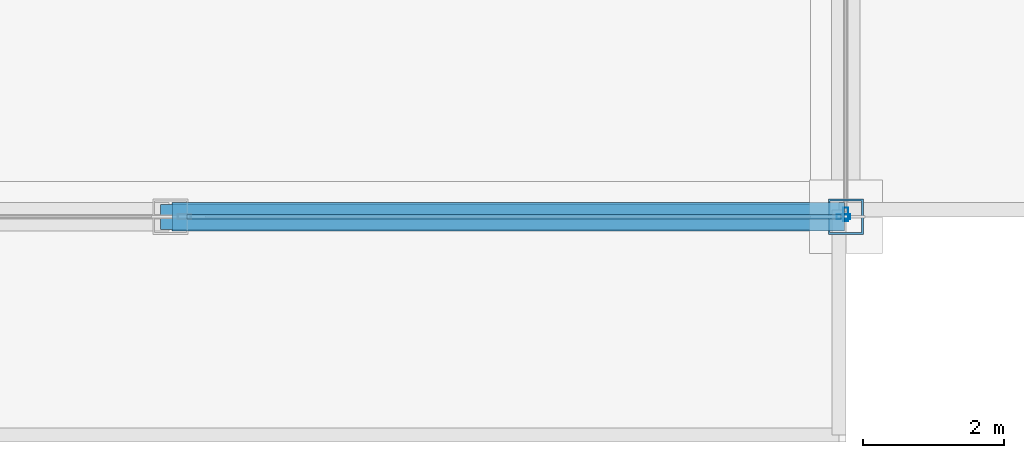
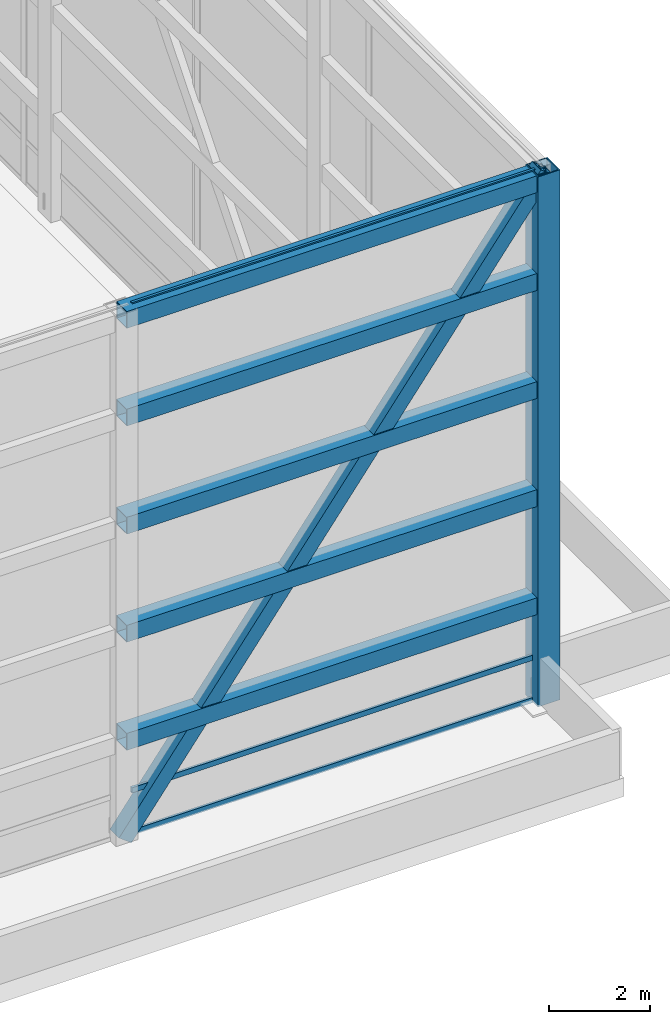
# One storey, part 13 of 23: 7 members, 5 beams, 2 elements without a shape of their own.
"""IFC4 building model written with IfcOpenShell, lengths in metres."""

from ifc_helpers import new_model, si_unit, direction, frame, origin, origin_2d, place, context, subcontext, project, spatial, hollow_rectangle, extrude, source, transform, mapped, material, layer, layer_set, material_profile, profile_set, type_object, type_shapes, element, aggregate, save


model = new_model("IFC4")

# Units and contexts
model_context = context("Model", 3, precision=1e-05, world=origin(), true_north=direction((0.0, 1.0)))
body_context = subcontext(model_context, "Body", "Model", "MODEL_VIEW")
ifc_project = project(units=[si_unit("LENGTHUNIT", "METRE"), si_unit("AREAUNIT", "SQUARE_METRE"), si_unit("VOLUMEUNIT", "CUBIC_METRE"), si_unit("PLANEANGLEUNIT", "RADIAN"), si_unit("MASSUNIT", "GRAM", prefix="KILO")], contexts=[model_context])

# Site, building, storey
site_placement = place(None, origin())
site = spatial("IfcSite", under=ifc_project, at=site_placement, CompositionType="ELEMENT")
building_placement = place(site_placement, origin())
building = spatial("IfcBuilding", under=site, at=building_placement, Name="Varnel Quay Broadcast Tower", CompositionType="ELEMENT")
storey_placement = place(building_placement, frame((0.0, 0.0, 319.800048828125)))
storey = spatial("IfcBuildingStorey", under=building, at=storey_placement, Name="Roof", CompositionType="ELEMENT", Elevation=319.800048828125)

# Member
ifc_material_1 = material(Name="Structural Steel CSA G40.21 350WT", Category="steel")
ifc_material_profile_1 = material_profile(ifc_material_1, hollow_rectangle(XDim=0.5, YDim=0.5, WallThickness=0.02490234375, at=origin_2d()), Name="BOX500X500X25")
ifc_profile_set_1 = profile_set([ifc_material_profile_1], Name="Structural Steel CSA G40.21 350WT")
member_type_1 = type_object("IfcMemberType", Name="CrownRingPost_BOX500", PredefinedType="POST", material=ifc_profile_set_1)
shared_shape_1 = source(origin(), body_context, "Body", "SweptSolid", [
    extrude(hollow_rectangle(XDim=0.5, YDim=0.5, WallThickness=0.02490234375, at=origin_2d()), origin(), (0.0, 0.0, 1.0), 12.75),
])
type_shapes(member_type_1, [shared_shape_1])
member_1_placement = place(storey_placement, frame((52.800048828125, 16.39990234375, 0.0), z_axis=(0.0, 0.0, 1.0), x_axis=(1.0, 0.0, 0.0)))
element("IfcMember", 1, at=member_1_placement, inside=storey, type_object=member_type_1, Name="CROWN FRAME Ring Post 5", PredefinedType="POST", context=body_context, shape_type="MappedRepresentation", body=[
    mapped(shared_shape_1, transform((0.0, 0.0, 0.0), x_axis=(1.0, 0.0, 0.0), y_axis=(0.0, 1.0, 0.0), z_axis=(0.0, 0.0, 1.0), scale=1.0)),
])

# Beams
ifc_material_profile_2 = material_profile(ifc_material_1, hollow_rectangle(XDim=0.406005859375, YDim=0.406005859375, WallThickness=0.01611328125, at=origin_2d()), Name="HSS406X406X16")
ifc_profile_set_2 = profile_set([ifc_material_profile_2], Name="Structural Steel CSA G40.21 350WT")
beam_type = type_object("IfcBeamType", Name="CrownRingBeam_HSS406", PredefinedType="BEAM", material=ifc_profile_set_2)
shared_shape_2 = source(origin(), body_context, "Body", "SweptSolid", [
    extrude(hollow_rectangle(XDim=0.406005859375, YDim=0.406005859375, WallThickness=0.01611328125, at=origin_2d()), origin(), (0.0, 0.0, 1.0), 9.56005859375),
])
type_shapes(beam_type, [shared_shape_2])
for number, where, z_axis, x_axis, name in (
    (2, (43.219970703125, 16.39990234375, 2.39697265625), (1.0, 0.0, 0.0), (0.0, 1.0, 0.0), "CROWN FRAME Ring Tier 1 Beam 4"),
    (3, (43.219970703125, 16.39990234375, 4.9970703125), (1.0, 0.0, 0.0), (0.0, 1.0, 0.0), "CROWN FRAME Ring Tier 2 Beam 4"),
    (4, (43.219970703125, 16.39990234375, 7.596923828125), (1.0, 0.0, 0.0), (0.0, 1.0, 0.0), "CROWN FRAME Ring Tier 3 Beam 4"),
    (5, (43.219970703125, 16.39990234375, 10.197021484375), (1.0, 0.0, 0.0), (0.0, 1.0, 0.0), "CROWN FRAME Ring Tier 4 Beam 4"),
    (6, (43.219970703125, 16.39990234375, 12.546875), (1.0, 0.0, 0.0), (0.0, 1.0, 0.0), "CROWN FRAME Ring Tier 5 Beam 4"),
):
    element("IfcBeam", number, at=place(storey_placement, frame(where, z_axis=z_axis, x_axis=x_axis)), inside=storey, type_object=beam_type, Name=name, PredefinedType="BEAM", context=body_context, shape_type="MappedRepresentation", body=[
        mapped(shared_shape_2, transform((0.0, 0.0, 0.0), x_axis=(1.0, 0.0, 0.0), y_axis=(0.0, 1.0, 0.0), z_axis=(0.0, 0.0, 1.0), scale=1.0)),
    ])

# Member
ifc_material_2 = material(Name="Structural Steel CSA G40.21 350W", Category="steel")
ifc_material_profile_3 = material_profile(ifc_material_2, hollow_rectangle(XDim=0.35595703125, YDim=0.35595703125, WallThickness=0.01611328125, at=origin_2d()), Name="HSS356X356X16")
ifc_profile_set_3 = profile_set([ifc_material_profile_3], Name="Structural Steel CSA G40.21 350W")
member_type_2 = type_object("IfcMemberType", Name="CrownRingBrace_HSS356", PredefinedType="BRACE", material=ifc_profile_set_3)
shared_shape_3 = source(origin(), body_context, "Body", "SweptSolid", [
    extrude(hollow_rectangle(XDim=0.35595703125, YDim=0.35595703125, WallThickness=0.01611328125, at=origin_2d()), origin(), (0.0, 0.0, 1.0), 15.92822265625),
])
type_shapes(member_type_2, [shared_shape_3])
member_2_placement = place(storey_placement, frame((43.199951171875, 16.39990234375, 0.02001953125), z_axis=(0.602713824571, 0.0, 0.797957420964), x_axis=(0.0, 1.0, 0.0)))
element("IfcMember", 7, at=member_2_placement, inside=storey, type_object=member_type_2, Name="CROWN FRAME Ring Brace 4", PredefinedType="BRACE", context=body_context, shape_type="MappedRepresentation", body=[
    mapped(shared_shape_3, transform((0.0, 0.0, 0.0), x_axis=(1.0, 0.0, 0.0), y_axis=(0.0, 1.0, 0.0), z_axis=(0.0, 0.0, 1.0), scale=1.0)),
])

# Curtain wall, member
ifc_material_3 = material(Name="Anodised Bronze Aluminium 6063-T6", Category="aluminium")
ifc_layer = layer(ifc_material_3, 0.18994140625, Name="Anodised Bronze Aluminium 6063-T6")
ifc_layer_set = layer_set([ifc_layer], Name="Anodised Bronze Aluminium 6063-T6")
curtain_wall_type = type_object("IfcCurtainWallType", Name="CW_CrownScreen", PredefinedType="NOTDEFINED", material=ifc_layer_set)
curtain_wall_1_placement = place(storey_placement, origin())
curtain_wall_1 = element("IfcCurtainWall", 8, at=curtain_wall_1_placement, inside=storey, type_object=curtain_wall_type, Name="Ring Crown Bronze Glazed Louvre Screen S2", PredefinedType="NOTDEFINED")
ifc_material_profile_4 = material_profile(ifc_material_3, hollow_rectangle(XDim=0.070068359375, YDim=0.18994140625, WallThickness=0.00390625, at=origin_2d()), Name="ALU70X190X4")
ifc_profile_set_4 = profile_set([ifc_material_profile_4], Name="Anodised Bronze Aluminium 6063-T6")
member_type_3 = type_object("IfcMemberType", Name="Mull_CWS-06", PredefinedType="MULLION", material=ifc_profile_set_4)
shared_shape_4 = source(origin(), body_context, "Body", "SweptSolid", [
    extrude(hollow_rectangle(XDim=0.070068359375, YDim=0.18994140625, WallThickness=0.00390625, at=origin_2d()), origin(), (0.0, 0.0, 1.0), 12.75),
])
type_shapes(member_type_3, [shared_shape_4])
member_3_placement = place(storey_placement, frame((52.764892578125, 16.39990234375, 0.0), z_axis=(0.0, 0.0, 1.0), x_axis=(0.0, 1.0, 0.0)))
member_3 = element("IfcMember", 9, at=member_3_placement, type_object=member_type_3, Name="CWS-06 mullion 3", PredefinedType="MULLION", context=body_context, shape_type="MappedRepresentation", body=[
    mapped(shared_shape_4, transform((0.0, 0.0, 0.0), x_axis=(1.0, 0.0, 0.0), y_axis=(0.0, 1.0, 0.0), z_axis=(0.0, 0.0, 1.0), scale=1.0)),
])

curtain_wall_2_placement = place(storey_placement, origin())
curtain_wall_2 = element("IfcCurtainWall", 10, at=curtain_wall_2_placement, inside=storey, type_object=curtain_wall_type, Name="Ring Crown Bronze Glazed Louvre Screen E1", PredefinedType="NOTDEFINED")
member_4_placement = place(storey_placement, frame((52.800048828125, 16.43505859375, 0.0), z_axis=(0.0, 0.0, 1.0), x_axis=(-1.0, 0.0, 0.0)))
member_4 = element("IfcMember", 11, at=member_4_placement, type_object=member_type_3, Name="CWS-06 mullion 1", PredefinedType="MULLION", context=body_context, shape_type="MappedRepresentation", body=[
    mapped(shared_shape_4, transform((0.0, 0.0, 0.0), x_axis=(1.0, 0.0, 0.0), y_axis=(0.0, 1.0, 0.0), z_axis=(0.0, 0.0, 1.0), scale=1.0)),
])
aggregate(curtain_wall_2, [member_4])

# Member
ifc_material_profile_5 = material_profile(ifc_material_3, hollow_rectangle(XDim=0.06005859375, YDim=0.125, WallThickness=0.0029296875, at=origin_2d()), Name="ALU60X125X3")
ifc_profile_set_5 = profile_set([ifc_material_profile_5], Name="Anodised Bronze Aluminium 6063-T6")
member_type_4 = type_object("IfcMemberType", Name="Tran_CWS-06", PredefinedType="USERDEFINED", material=ifc_profile_set_5)
shared_shape_5 = source(origin(), body_context, "Body", "SweptSolid", [
    extrude(hollow_rectangle(XDim=0.06005859375, YDim=0.125, WallThickness=0.0029296875, at=origin_2d()), origin(), (0.0, 0.0, 1.0), 9.294921875),
])
type_shapes(member_type_4, [shared_shape_5])
member_5_placement = place(storey_placement, frame((43.43505859375, 16.39990234375, 0.030029296875), z_axis=(1.0, 0.0, 0.0), x_axis=(0.0, 1.0, 0.0)))
member_5 = element("IfcMember", 12, at=member_5_placement, type_object=member_type_4, Name="CWS-06 transom 2.1", ObjectType="TRANSOM", PredefinedType="USERDEFINED", context=body_context, shape_type="MappedRepresentation", body=[
    mapped(shared_shape_5, transform((0.0, 0.0, 0.0), x_axis=(1.0, 0.0, 0.0), y_axis=(0.0, 1.0, 0.0), z_axis=(0.0, 0.0, 1.0), scale=1.0)),
])

member_6_placement = place(storey_placement, frame((43.43505859375, 16.39990234375, 1.050048828125), z_axis=(1.0, 0.0, 0.0), x_axis=(0.0, 1.0, 0.0)))
member_6 = element("IfcMember", 13, at=member_6_placement, type_object=member_type_4, Name="CWS-06 transom 2.2", ObjectType="TRANSOM", PredefinedType="USERDEFINED", context=body_context, shape_type="MappedRepresentation", body=[
    mapped(shared_shape_5, transform((0.0, 0.0, 0.0), x_axis=(1.0, 0.0, 0.0), y_axis=(0.0, 1.0, 0.0), z_axis=(0.0, 0.0, 1.0), scale=1.0)),
])

member_7_placement = place(storey_placement, frame((43.43505859375, 16.39990234375, 12.719970703125), z_axis=(1.0, 0.0, 0.0), x_axis=(0.0, 1.0, 0.0)))
member_7 = element("IfcMember", 14, at=member_7_placement, type_object=member_type_4, Name="CWS-06 transom 2.3", ObjectType="TRANSOM", PredefinedType="USERDEFINED", context=body_context, shape_type="MappedRepresentation", body=[
    mapped(shared_shape_5, transform((0.0, 0.0, 0.0), x_axis=(1.0, 0.0, 0.0), y_axis=(0.0, 1.0, 0.0), z_axis=(0.0, 0.0, 1.0), scale=1.0)),
])

aggregate(curtain_wall_1, [member_3, member_5, member_6, member_7])

save(model, "model.ifc")
